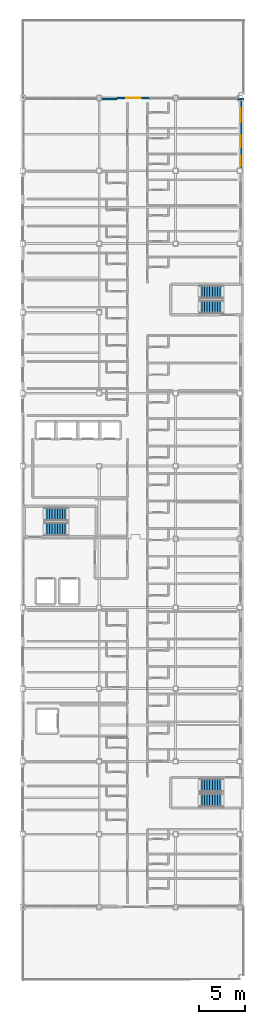
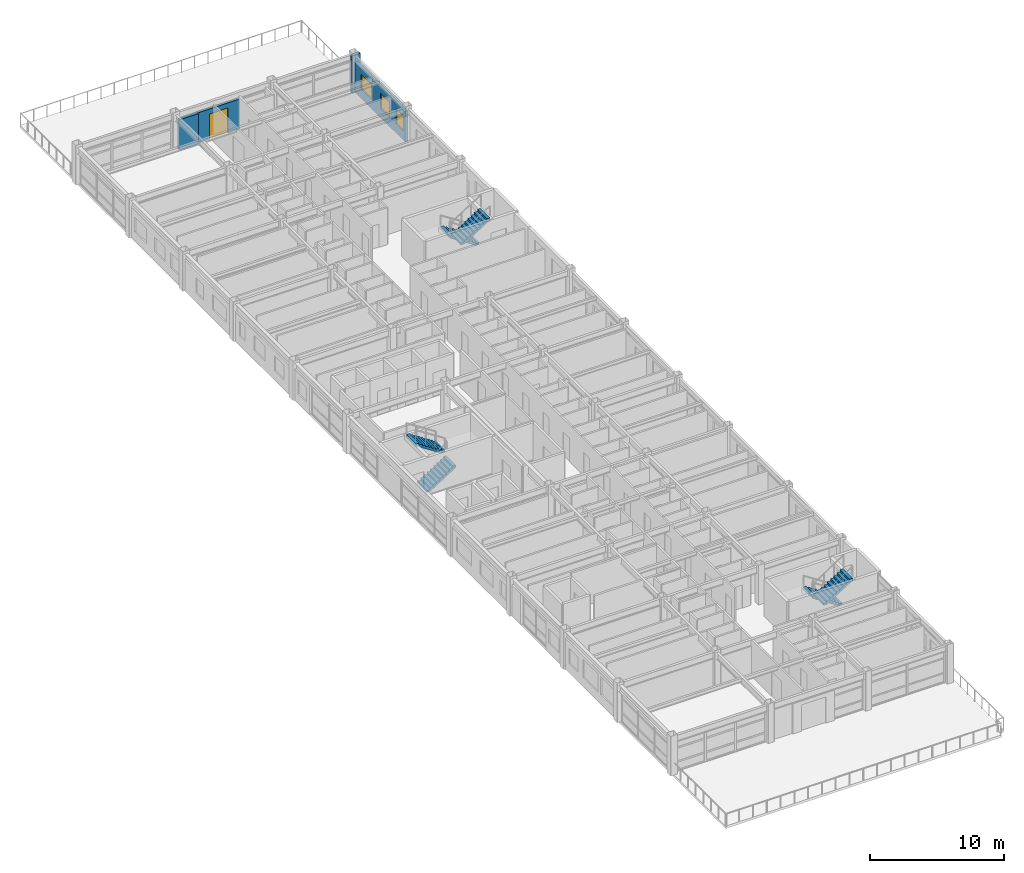
# One storey, part 33 of 36: 6 stair flights, 4 walls, 3 windows, 1 door, 4 openings, 3 elements without a shape of their own.
"""IFC4 building model written with IfcOpenShell, lengths in metres."""

from ifc_helpers import new_model, si_unit, direction, frame, frame_2d, origin, place, context, subcontext, project, spatial, polyline, rectangle, outline, extrude, material, layer, layer_set, type_object, element, fill, aggregate, save


model = new_model("IFC4")

# Units and contexts
model_context = context("Model", 3, precision=1e-05, world=origin(), true_north=direction((0.0, 1.0)))
body_context = subcontext(model_context, "Body", "Model", "MODEL_VIEW")
ifc_project = project(units=[si_unit("LENGTHUNIT", "METRE"), si_unit("AREAUNIT", "SQUARE_METRE"), si_unit("VOLUMEUNIT", "CUBIC_METRE"), si_unit("PLANEANGLEUNIT", "RADIAN"), si_unit("MASSUNIT", "GRAM", prefix="KILO")], contexts=[model_context])

# Site, building, storey
site_placement = place(None, origin())
site = spatial("IfcSite", under=ifc_project, at=site_placement, CompositionType="ELEMENT")
building_placement = place(site_placement, origin())
building = spatial("IfcBuilding", under=site, at=building_placement, Name="Kazehara Bluff Congress Hotel", CompositionType="ELEMENT")
storey_placement = place(building_placement, frame((0.0, 0.0, 31.800048828125)))
storey = spatial("IfcBuildingStorey", under=building, at=storey_placement, Name="L07", CompositionType="ELEMENT", Elevation=31.800048828125)

# Wall, opening, door
ifc_material_1 = material(Name="Precast concrete C40/50", Category="concrete")
ifc_layer_1 = layer(ifc_material_1, 0.239990234375)
ifc_layer_set_1 = layer_set([ifc_layer_1], Name="Precast concrete C40/50")
wall_type_1 = type_object("IfcWallType", Name="TP-EW-240", PredefinedType="SOLIDWALL", material=ifc_layer_set_1)
wall_1_placement = place(storey_placement, frame((154.050048828125, 96.89990234375, 0.0), z_axis=(0.0, 0.0, 1.0), x_axis=(1.0, 0.0, 0.0)))
wall_1 = element("IfcWall", 1, at=wall_1_placement, inside=storey, type_object=wall_type_1, Name="North Bluff Sky Terrace access wall", PredefinedType="SOLIDWALL", context=body_context, shape_type="SweptSolid", body=[
    extrude(rectangle(XDim=3.599853515625, YDim=0.239990234375, at=frame_2d((1.7998046875, 0.0))), origin(), (0.0, 0.0, 1.0), 2.7548828125),
])
opening_1_placement = place(wall_1_placement, frame((1.0, 0.0, 0.0)))
opening_1 = element("IfcOpeningElement", 2, at=opening_1_placement, cuts=wall_1, Name="Opening TD-01", PredefinedType="OPENING", context=body_context, shape_type="SweptSolid", body=[
    extrude(rectangle(XDim=1.60009765625, YDim=2.300048828125, at=frame_2d((0.800048828125, 1.14990234375))), frame((0.0, 0.1298828125, 0.0), z_axis=(0.0, -1.0, 0.0), x_axis=(1.0, 0.0, 0.0)), (0.0, 0.0, 1.0), 0.260009765625),
])
ifc_material_2 = material(Name="Anodised aluminium", Category="aluminium")
door_type = type_object("IfcDoorType", Name="TP-TD-01", OperationType="SLIDING_TO_LEFT", PredefinedType="DOOR", material=ifc_material_2)
door_placement = place(opening_1_placement, origin())
door = element("IfcDoor", 3, at=door_placement, inside=storey, type_object=door_type, Name="North Bluff Sky Terrace terrace door", OperationType="SLIDING_TO_LEFT", OverallHeight=2.300048828125, OverallWidth=1.60009765625, PredefinedType="DOOR", context=body_context, shape_type="SweptSolid", body=[
    extrude(rectangle(XDim=1.60009765625, YDim=2.300048828125, at=frame_2d((0.800048828125, 1.14990234375))), frame((0.0, 0.02490234375, 0.0), z_axis=(0.0, -1.0, 0.0), x_axis=(1.0, 0.0, 0.0)), (0.0, 0.0, 1.0), 0.050048828125),
])
fill(opening_1, door)

# Walls
wall_2_placement = place(storey_placement, frame((152.375, 96.800048828125, 0.0), z_axis=(0.0, 0.0, 1.0), x_axis=(1.0, 0.0, 0.0)))
element("IfcWall", 4, at=wall_2_placement, inside=storey, type_object=wall_type_1, Name="L07 V5 perimeter spandrel pier 747", PredefinedType="SOLIDWALL", context=body_context, shape_type="SweptSolid", body=[
    extrude(rectangle(XDim=1.675048828125, YDim=0.239990234375, at=frame_2d((0.83740234375, 0.0))), origin(), (0.0, 0.0, 1.0), 2.7548828125),
])
wall_3_placement = place(storey_placement, frame((167.27490234375, 96.800048828125, 0.0), z_axis=(0.0, 0.0, 1.0), x_axis=(1.0, 0.0, 0.0)))
element("IfcWall", 5, at=wall_3_placement, inside=storey, type_object=wall_type_1, Name="L07 V5 perimeter spandrel pier 748", PredefinedType="SOLIDWALL", context=body_context, shape_type="SweptSolid", body=[
    extrude(rectangle(XDim=0.72509765625, YDim=0.239990234375, at=frame_2d((0.362548828125, 0.0))), origin(), (0.0, 0.0, 1.0), 3.364990234375),
])

# Wall, openings, windows
ifc_material_3 = material(Name="Precast concrete C40/50", Category="concrete")
ifc_layer_2 = layer(ifc_material_3, 0.260009765625)
ifc_layer_set_2 = layer_set([ifc_layer_2], Name="Precast concrete C40/50")
wall_type_2 = type_object("IfcWallType", Name="TP-EW-260", PredefinedType="SOLIDWALL", material=ifc_layer_set_2)
wall_4_placement = place(storey_placement, frame((167.64990234375, 96.625, 0.0), z_axis=(0.0, 0.0, 1.0), x_axis=(0.0, -1.0, 0.0)))
wall_4 = element("IfcWall", 6, at=wall_4_placement, inside=storey, type_object=wall_type_2, Name="L07 hotel facade panel 100", PredefinedType="SOLIDWALL", context=body_context, shape_type="SweptSolid", body=[
    extrude(rectangle(XDim=7.449951171875, YDim=0.260009765625, at=frame_2d((3.72509765625, 0.0))), origin(), (0.0, 0.0, 1.0), 2.7548828125),
])
opening_2_placement = place(wall_4_placement, frame((6.090087890625, 0.0, 0.85009765625)))
opening_2 = element("IfcOpeningElement", 7, at=opening_2_placement, cuts=wall_4, Name="Opening WN-01", PredefinedType="OPENING", context=body_context, shape_type="SweptSolid", body=[
    extrude(rectangle(XDim=1.14990234375, YDim=1.35009765625, at=frame_2d((0.574951171875, 0.675048828125))), frame((0.0, 0.139892578125, 0.0), z_axis=(0.0, -1.0, 0.0), x_axis=(1.0, 0.0, 0.0)), (0.0, 0.0, 1.0), 0.280029296875),
])
opening_3_placement = place(wall_4_placement, frame((3.794921875, 0.0, 0.85009765625)))
opening_3 = element("IfcOpeningElement", 8, at=opening_3_placement, cuts=wall_4, Name="Opening WN-11", PredefinedType="OPENING", context=body_context, shape_type="SweptSolid", body=[
    extrude(rectangle(XDim=1.35009765625, YDim=1.35009765625, at=frame_2d((0.675048828125, 0.675048828125))), frame((0.0, 0.139892578125, 0.0), z_axis=(0.0, -1.0, 0.0), x_axis=(1.0, 0.0, 0.0)), (0.0, 0.0, 1.0), 0.280029296875),
])
opening_4_placement = place(wall_4_placement, frame((0.864990234375, 0.0, 0.85009765625)))
opening_4 = element("IfcOpeningElement", 9, at=opening_4_placement, cuts=wall_4, Name="Opening WN-21", PredefinedType="OPENING", context=body_context, shape_type="SweptSolid", body=[
    extrude(rectangle(XDim=1.550048828125, YDim=1.35009765625, at=frame_2d((0.77490234375, 0.675048828125))), frame((0.0, 0.139892578125, 0.0), z_axis=(0.0, -1.0, 0.0), x_axis=(1.0, 0.0, 0.0)), (0.0, 0.0, 1.0), 0.280029296875),
])
ifc_material_4 = material(Name="Insulated low-E double glazing", Category="glass")
window_type_1 = type_object("IfcWindowType", Name="TP-WN-01", PartitioningType="SINGLE_PANEL", PredefinedType="WINDOW", material=ifc_material_4)
window_1_placement = place(opening_2_placement, origin())
window_1 = element("IfcWindow", 10, at=window_1_placement, inside=storey, type_object=window_type_1, Name="L07 guestroom window WN-01 190", OverallHeight=1.35009765625, OverallWidth=1.14990234375, PartitioningType="SINGLE_PANEL", PredefinedType="WINDOW", context=body_context, shape_type="SweptSolid", body=[
    extrude(rectangle(XDim=1.14990234375, YDim=1.35009765625, at=frame_2d((0.574951171875, 0.675048828125))), frame((0.0, 0.030029296875, 0.0), z_axis=(0.0, -1.0, 0.0), x_axis=(1.0, 0.0, 0.0)), (0.0, 0.0, 1.0), 0.06005859375),
])
fill(opening_2, window_1)
ifc_material_5 = material(Name="Insulated low-E double glazing", Category="glass")
window_type_2 = type_object("IfcWindowType", Name="TP-WN-11", PartitioningType="SINGLE_PANEL", PredefinedType="WINDOW", material=ifc_material_5)
window_2_placement = place(opening_3_placement, origin())
window_2 = element("IfcWindow", 11, at=window_2_placement, inside=storey, type_object=window_type_2, Name="L07 guestroom window WN-11 191", OverallHeight=1.35009765625, OverallWidth=1.35009765625, PartitioningType="SINGLE_PANEL", PredefinedType="WINDOW", context=body_context, shape_type="SweptSolid", body=[
    extrude(rectangle(XDim=1.35009765625, YDim=1.35009765625, at=frame_2d((0.675048828125, 0.675048828125))), frame((0.0, 0.030029296875, 0.0), z_axis=(0.0, -1.0, 0.0), x_axis=(1.0, 0.0, 0.0)), (0.0, 0.0, 1.0), 0.06005859375),
])
fill(opening_3, window_2)
ifc_material_6 = material(Name="Insulated low-E double glazing", Category="glass")
window_type_3 = type_object("IfcWindowType", Name="TP-WN-21", PartitioningType="SINGLE_PANEL", PredefinedType="WINDOW", material=ifc_material_6)
window_3_placement = place(opening_4_placement, origin())
window_3 = element("IfcWindow", 12, at=window_3_placement, inside=storey, type_object=window_type_3, Name="L07 guestroom window WN-21 192", OverallHeight=1.35009765625, OverallWidth=1.550048828125, PartitioningType="SINGLE_PANEL", PredefinedType="WINDOW", context=body_context, shape_type="SweptSolid", body=[
    extrude(rectangle(XDim=1.550048828125, YDim=1.35009765625, at=frame_2d((0.77490234375, 0.675048828125))), frame((0.0, 0.030029296875, 0.0), z_axis=(0.0, -1.0, 0.0), x_axis=(1.0, 0.0, 0.0)), (0.0, 0.0, 1.0), 0.06005859375),
])
fill(opening_4, window_3)

# Stair, stair flights
ifc_material_7 = material(Name="Concrete C36/45", Category="concrete")
stair_type = type_object("IfcStairType", Name="TP-ST-T03", PredefinedType="HALF_TURN_STAIR", material=ifc_material_7)
stair_1_placement = place(storey_placement, origin())
stair_1 = element("IfcStair", 13, at=stair_1_placement, inside=storey, type_object=stair_type, Name="L07 Escape stair ST-10", PredefinedType="HALF_TURN_STAIR")
ifc_material_8 = material(Name="Concrete C36/45", Category="concrete")
stair_flight_type = type_object("IfcStairFlightType", Name="TP-SF-T03", PredefinedType="STRAIGHT", material=ifc_material_8)
stair_flight_1_placement = place(storey_placement, frame((165.64990234375, 21.375, 0.0), z_axis=(0.0, 0.0, 1.0), x_axis=(-1.0, 0.0, 0.0)))
stair_flight_1 = element("IfcStairFlight", 14, at=stair_flight_1_placement, type_object=stair_flight_type, Name="ST-10 flight 1", NumberOfRisers=10, NumberOfTreads=9, PredefinedType="STRAIGHT", RiserHeight=0.18, TreadLength=0.28, context=body_context, shape_type="SweptSolid", body=[
    extrude(outline(polyline([(0.0, 0.0), (0.0, 0.179931640625), (0.280029296875, 0.179931640625), (0.280029296875, 0.360107421875), (0.56005859375, 0.360107421875), (0.56005859375, 0.5400390625), (0.840087890625, 0.5400390625), (0.840087890625, 0.719970703125), (1.1201171875, 0.719970703125), (1.1201171875, 0.89990234375), (1.39990234375, 0.89990234375), (1.39990234375, 1.080078125), (1.679931640625, 1.080078125), (1.679931640625, 1.260009765625), (1.9599609375, 1.260009765625), (1.9599609375, 1.43994140625), (2.239990234375, 1.43994140625), (2.239990234375, 1.6201171875), (2.52001953125, 1.6201171875), (2.52001953125, 1.800048828125), (2.52001953125, 1.429931640625), (0.295654296875, 0.0), (0.0, 0.0)])), frame((0.0, 0.72509765625, 0.0), z_axis=(0.0, -1.0, 0.0), x_axis=(1.0, 0.0, 0.0)), (0.0, 0.0, 1.0), 1.449951171875),
])
stair_flight_2_placement = place(storey_placement, frame((163.1298828125, 19.72509765625, 1.800048828125), z_axis=(0.0, 0.0, 1.0), x_axis=(1.0, 0.0, 0.0)))
stair_flight_2 = element("IfcStairFlight", 15, at=stair_flight_2_placement, type_object=stair_flight_type, Name="ST-10 flight 2", NumberOfRisers=10, NumberOfTreads=9, PredefinedType="STRAIGHT", RiserHeight=0.18, TreadLength=0.28, context=body_context, shape_type="SweptSolid", body=[
    extrude(outline(polyline([(0.0, 0.0), (0.0, 0.179931640625), (0.280029296875, 0.179931640625), (0.280029296875, 0.360107421875), (0.56005859375, 0.360107421875), (0.56005859375, 0.5400390625), (0.840087890625, 0.5400390625), (0.840087890625, 0.719970703125), (1.1201171875, 0.719970703125), (1.1201171875, 0.89990234375), (1.39990234375, 0.89990234375), (1.39990234375, 1.080078125), (1.679931640625, 1.080078125), (1.679931640625, 1.260009765625), (1.9599609375, 1.260009765625), (1.9599609375, 1.43994140625), (2.239990234375, 1.43994140625), (2.239990234375, 1.6201171875), (2.52001953125, 1.6201171875), (2.52001953125, 1.800048828125), (2.52001953125, 1.429931640625), (0.295654296875, 0.0), (0.0, 0.0)])), frame((0.0, 0.72509765625, 0.0), z_axis=(0.0, -1.0, 0.0), x_axis=(1.0, 0.0, 0.0)), (0.0, 0.0, 1.0), 1.449951171875),
])
aggregate(stair_1, [stair_flight_1, stair_flight_2])

stair_2_placement = place(storey_placement, origin())
stair_2 = element("IfcStair", 16, at=stair_2_placement, inside=storey, type_object=stair_type, Name="L07 Escape stair ST-11", PredefinedType="HALF_TURN_STAIR")
stair_flight_3_placement = place(storey_placement, frame((146.10009765625, 49.52490234375, 0.0), z_axis=(0.0, 0.0, 1.0), x_axis=(1.0, 0.0, 0.0)))
stair_flight_3 = element("IfcStairFlight", 17, at=stair_flight_3_placement, type_object=stair_flight_type, Name="ST-11 flight 1", NumberOfRisers=10, NumberOfTreads=9, PredefinedType="STRAIGHT", RiserHeight=0.18, TreadLength=0.28, context=body_context, shape_type="SweptSolid", body=[
    extrude(outline(polyline([(0.0, 0.0), (0.0, 0.179931640625), (0.280029296875, 0.179931640625), (0.280029296875, 0.360107421875), (0.56005859375, 0.360107421875), (0.56005859375, 0.5400390625), (0.840087890625, 0.5400390625), (0.840087890625, 0.719970703125), (1.1201171875, 0.719970703125), (1.1201171875, 0.89990234375), (1.39990234375, 0.89990234375), (1.39990234375, 1.080078125), (1.679931640625, 1.080078125), (1.679931640625, 1.260009765625), (1.9599609375, 1.260009765625), (1.9599609375, 1.43994140625), (2.239990234375, 1.43994140625), (2.239990234375, 1.6201171875), (2.52001953125, 1.6201171875), (2.52001953125, 1.800048828125), (2.52001953125, 1.429931640625), (0.295654296875, 0.0), (0.0, 0.0)])), frame((0.0, 0.72509765625, 0.0), z_axis=(0.0, -1.0, 0.0), x_axis=(1.0, 0.0, 0.0)), (0.0, 0.0, 1.0), 1.449951171875),
])
stair_flight_4_placement = place(storey_placement, frame((148.6201171875, 51.175048828125, 1.800048828125), z_axis=(0.0, 0.0, 1.0), x_axis=(-1.0, 0.0, 0.0)))
stair_flight_4 = element("IfcStairFlight", 18, at=stair_flight_4_placement, type_object=stair_flight_type, Name="ST-11 flight 2", NumberOfRisers=10, NumberOfTreads=9, PredefinedType="STRAIGHT", RiserHeight=0.18, TreadLength=0.28, context=body_context, shape_type="SweptSolid", body=[
    extrude(outline(polyline([(0.0, 0.0), (0.0, 0.179931640625), (0.280029296875, 0.179931640625), (0.280029296875, 0.360107421875), (0.56005859375, 0.360107421875), (0.56005859375, 0.5400390625), (0.840087890625, 0.5400390625), (0.840087890625, 0.719970703125), (1.1201171875, 0.719970703125), (1.1201171875, 0.89990234375), (1.39990234375, 0.89990234375), (1.39990234375, 1.080078125), (1.679931640625, 1.080078125), (1.679931640625, 1.260009765625), (1.9599609375, 1.260009765625), (1.9599609375, 1.43994140625), (2.239990234375, 1.43994140625), (2.239990234375, 1.6201171875), (2.52001953125, 1.6201171875), (2.52001953125, 1.800048828125), (2.52001953125, 1.429931640625), (0.295654296875, 0.0), (0.0, 0.0)])), frame((0.0, 0.72509765625, 0.0), z_axis=(0.0, -1.0, 0.0), x_axis=(1.0, 0.0, 0.0)), (0.0, 0.0, 1.0), 1.449951171875),
])
aggregate(stair_2, [stair_flight_3, stair_flight_4])

stair_3_placement = place(storey_placement, origin())
stair_3 = element("IfcStair", 19, at=stair_3_placement, inside=storey, type_object=stair_type, Name="L07 Escape stair ST-12", PredefinedType="HALF_TURN_STAIR")
stair_flight_5_placement = place(storey_placement, frame((165.64990234375, 75.574951171875, 0.0), z_axis=(0.0, 0.0, 1.0), x_axis=(-1.0, 0.0, 0.0)))
stair_flight_5 = element("IfcStairFlight", 20, at=stair_flight_5_placement, type_object=stair_flight_type, Name="ST-12 flight 1", NumberOfRisers=10, NumberOfTreads=9, PredefinedType="STRAIGHT", RiserHeight=0.18, TreadLength=0.28, context=body_context, shape_type="SweptSolid", body=[
    extrude(outline(polyline([(0.0, 0.0), (0.0, 0.179931640625), (0.280029296875, 0.179931640625), (0.280029296875, 0.360107421875), (0.56005859375, 0.360107421875), (0.56005859375, 0.5400390625), (0.840087890625, 0.5400390625), (0.840087890625, 0.719970703125), (1.1201171875, 0.719970703125), (1.1201171875, 0.89990234375), (1.39990234375, 0.89990234375), (1.39990234375, 1.080078125), (1.679931640625, 1.080078125), (1.679931640625, 1.260009765625), (1.9599609375, 1.260009765625), (1.9599609375, 1.43994140625), (2.239990234375, 1.43994140625), (2.239990234375, 1.6201171875), (2.52001953125, 1.6201171875), (2.52001953125, 1.800048828125), (2.52001953125, 1.429931640625), (0.295654296875, 0.0), (0.0, 0.0)])), frame((0.0, 0.72509765625, 0.0), z_axis=(0.0, -1.0, 0.0), x_axis=(1.0, 0.0, 0.0)), (0.0, 0.0, 1.0), 1.449951171875),
])
stair_flight_6_placement = place(storey_placement, frame((163.1298828125, 73.925048828125, 1.800048828125), z_axis=(0.0, 0.0, 1.0), x_axis=(1.0, 0.0, 0.0)))
stair_flight_6 = element("IfcStairFlight", 21, at=stair_flight_6_placement, type_object=stair_flight_type, Name="ST-12 flight 2", NumberOfRisers=10, NumberOfTreads=9, PredefinedType="STRAIGHT", RiserHeight=0.18, TreadLength=0.28, context=body_context, shape_type="SweptSolid", body=[
    extrude(outline(polyline([(0.0, 0.0), (0.0, 0.179931640625), (0.280029296875, 0.179931640625), (0.280029296875, 0.360107421875), (0.56005859375, 0.360107421875), (0.56005859375, 0.5400390625), (0.840087890625, 0.5400390625), (0.840087890625, 0.719970703125), (1.1201171875, 0.719970703125), (1.1201171875, 0.89990234375), (1.39990234375, 0.89990234375), (1.39990234375, 1.080078125), (1.679931640625, 1.080078125), (1.679931640625, 1.260009765625), (1.9599609375, 1.260009765625), (1.9599609375, 1.43994140625), (2.239990234375, 1.43994140625), (2.239990234375, 1.6201171875), (2.52001953125, 1.6201171875), (2.52001953125, 1.800048828125), (2.52001953125, 1.429931640625), (0.295654296875, 0.0), (0.0, 0.0)])), frame((0.0, 0.72509765625, 0.0), z_axis=(0.0, -1.0, 0.0), x_axis=(1.0, 0.0, 0.0)), (0.0, 0.0, 1.0), 1.449951171875),
])
aggregate(stair_3, [stair_flight_5, stair_flight_6])

save(model, "model.ifc")
